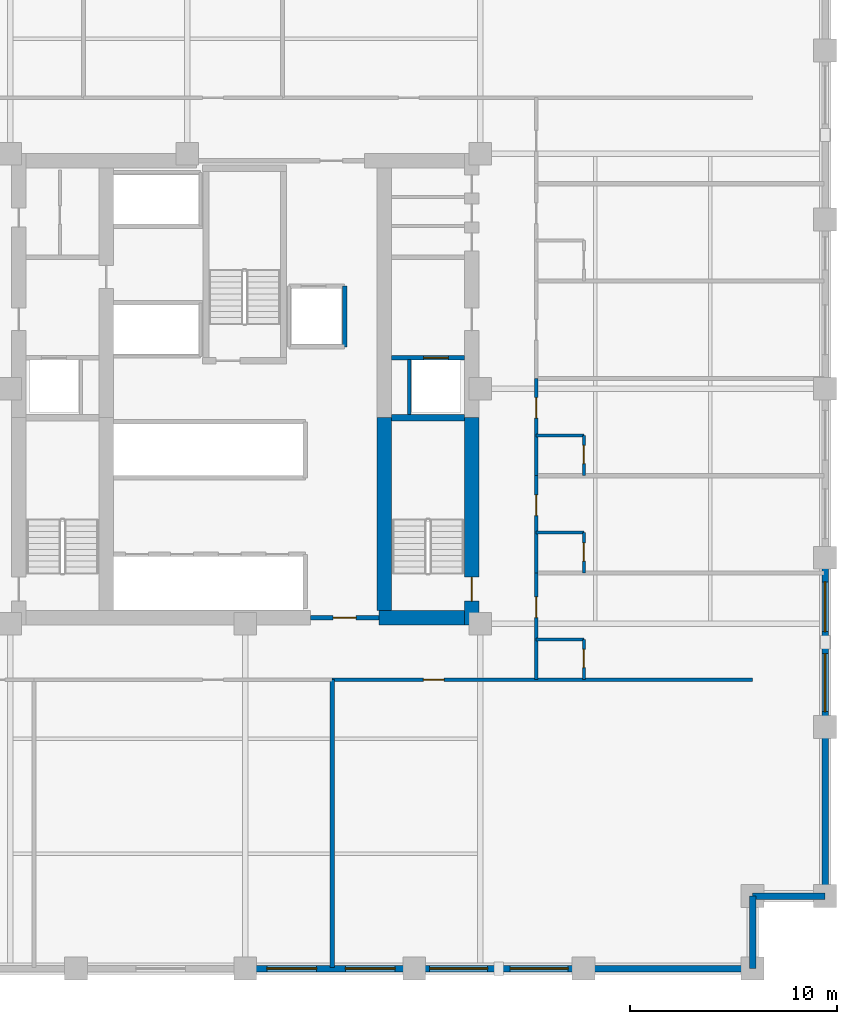
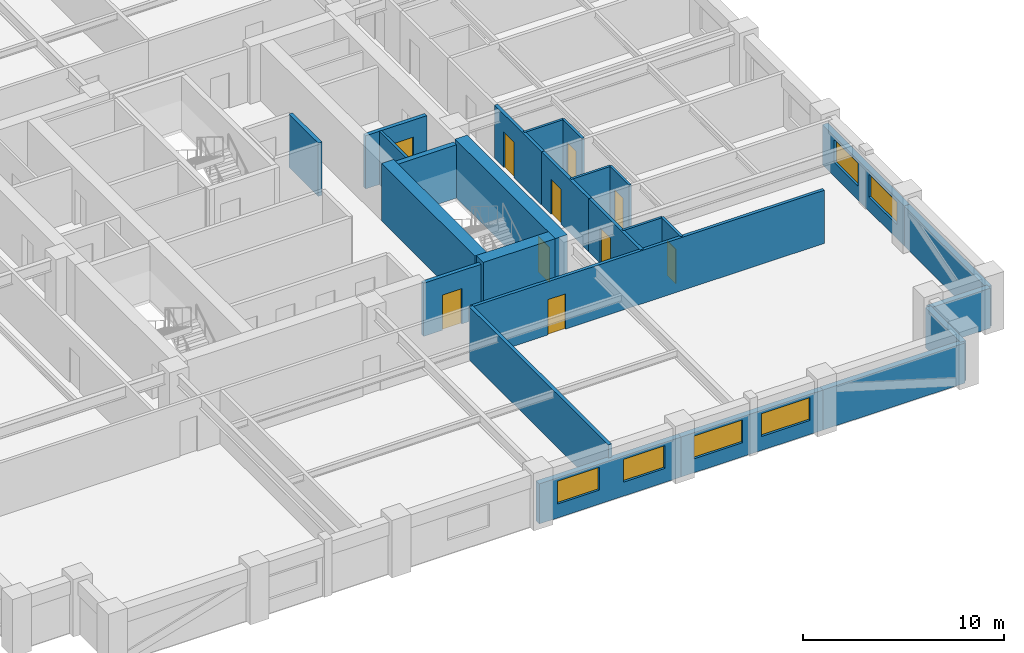
# One storey, part 3 of 7: 26 walls, 10 doors, 6 windows, 16 openings.
"""IFC4 building model written with IfcOpenShell, lengths in metres."""

from ifc_helpers import new_model, si_unit, direction, frame, frame_2d, origin, place, context, subcontext, project, spatial, rectangle, extrude, material, layer, layer_set, type_object, element, fill, save


model = new_model("IFC4")

# Units and contexts
model_context = context("Model", 3, precision=1e-05, world=origin(), true_north=direction((0.0, 1.0)))
body_context = subcontext(model_context, "Body", "Model", "MODEL_VIEW")
ifc_project = project(units=[si_unit("LENGTHUNIT", "METRE"), si_unit("AREAUNIT", "SQUARE_METRE"), si_unit("VOLUMEUNIT", "CUBIC_METRE"), si_unit("PLANEANGLEUNIT", "RADIAN"), si_unit("MASSUNIT", "GRAM", prefix="KILO")], contexts=[model_context])

# Site, building, storey
site_placement = place(None, origin())
site = spatial("IfcSite", under=ifc_project, at=site_placement, CompositionType="ELEMENT")
building_placement = place(site_placement, origin())
building = spatial("IfcBuilding", under=site, at=building_placement, Name="Nhamokura Convention Tower", CompositionType="ELEMENT")
storey_placement = place(building_placement, frame((0.0, 0.0, 73.85009765625)))
storey = spatial("IfcBuildingStorey", under=building, at=storey_placement, Name="L17", CompositionType="ELEMENT", Elevation=73.85009765625)

# Wall
ifc_material_1 = material(Name="Moisture-resistant tile-backer partition", Category="masonry")
ifc_layer_1 = layer(ifc_material_1, 0.139892578125)
ifc_layer_set_1 = layer_set([ifc_layer_1], Name="BathroomWetWall_140")
wall_type_1 = type_object("IfcWallType", Name="BathroomWetWall_140", PredefinedType="STANDARD", material=ifc_layer_set_1)
wall_1_placement = place(storey_placement, frame((46.050048828125, 19.89990234375, 0.0), z_axis=(0.0, 0.0, 1.0), x_axis=(1.0, 0.0, 0.0)))
element("IfcWall", 1, at=wall_1_placement, inside=storey, type_object=wall_type_1, Name="L17 Wall INT-L17-BW-E00N", PredefinedType="STANDARD", context=body_context, shape_type="SweptSolid", body=[
    extrude(rectangle(XDim=2.300048828125, YDim=0.139892578125, at=frame_2d((1.14990234375, 0.0))), origin(), (0.0, 0.0, 1.0), 3.239990234375),
])

# Wall, opening, door
wall_2_placement = place(storey_placement, frame((48.35009765625, 17.949951171875, 0.0), z_axis=(0.0, 0.0, 1.0), x_axis=(0.0, 1.0, 0.0)))
wall_2 = element("IfcWall", 2, at=wall_2_placement, inside=storey, type_object=wall_type_1, Name="L17 Wall INT-L17-BW-E00E", PredefinedType="STANDARD", context=body_context, shape_type="SweptSolid", body=[
    extrude(rectangle(XDim=1.949951171875, YDim=0.139892578125, at=frame_2d((0.97509765625, 0.0))), origin(), (0.0, 0.0, 1.0), 3.239990234375),
])
opening_1_placement = place(wall_2_placement, frame((0.580078125, 0.0, 0.0)))
opening_1 = element("IfcOpeningElement", 3, at=opening_1_placement, cuts=wall_2, Name="Opening D-11", PredefinedType="OPENING", context=body_context, shape_type="SweptSolid", body=[
    extrude(rectangle(XDim=0.8798828125, YDim=2.10009765625, at=frame_2d((0.43994140625, 1.050048828125))), frame((0.0, 0.079833984375, 0.0), z_axis=(0.0, -1.0, 0.0), x_axis=(1.0, 0.0, 0.0)), (0.0, 0.0, 1.0), 0.159912109375),
])
ifc_material_2 = material(Name="Solid oak hardwood", Category="wood")
door_type_1 = type_object("IfcDoorType", Name="BathroomDoor_880", OperationType="NOTDEFINED", PredefinedType="DOOR", material=ifc_material_2)
door_1_placement = place(opening_1_placement, origin())
door_1 = element("IfcDoor", 4, at=door_1_placement, inside=storey, type_object=door_type_1, Name="L17 Guest Room En-suite Door", OperationType="SINGLE_SWING_LEFT", OverallHeight=2.10009765625, OverallWidth=0.8798828125, PredefinedType="DOOR", context=body_context, shape_type="SweptSolid", body=[
    extrude(rectangle(XDim=0.8798828125, YDim=2.10009765625, at=frame_2d((0.43994140625, 1.050048828125))), frame((0.0, 0.02490234375, 0.0), z_axis=(0.0, -1.0, 0.0), x_axis=(1.0, 0.0, 0.0)), (0.0, 0.0, 1.0), 0.050048828125),
])
fill(opening_1, door_1)

# Wall
wall_3_placement = place(storey_placement, frame((46.050048828125, 25.050048828125, 0.0), z_axis=(0.0, 0.0, 1.0), x_axis=(1.0, 0.0, 0.0)))
element("IfcWall", 5, at=wall_3_placement, inside=storey, type_object=wall_type_1, Name="L17 Wall INT-L17-BW-E01N", PredefinedType="STANDARD", context=body_context, shape_type="SweptSolid", body=[
    extrude(rectangle(XDim=2.300048828125, YDim=0.139892578125, at=frame_2d((1.14990234375, 0.0))), origin(), (0.0, 0.0, 1.0), 3.239990234375),
])

# Wall, opening, door
wall_4_placement = place(storey_placement, frame((48.35009765625, 23.10009765625, 0.0), z_axis=(0.0, 0.0, 1.0), x_axis=(0.0, 1.0, 0.0)))
wall_4 = element("IfcWall", 6, at=wall_4_placement, inside=storey, type_object=wall_type_1, Name="L17 Wall INT-L17-BW-E01E", PredefinedType="STANDARD", context=body_context, shape_type="SweptSolid", body=[
    extrude(rectangle(XDim=1.949951171875, YDim=0.139892578125, at=frame_2d((0.97509765625, 0.0))), origin(), (0.0, 0.0, 1.0), 3.239990234375),
])
opening_2_placement = place(wall_4_placement, frame((0.580078125, 0.0, 0.0)))
opening_2 = element("IfcOpeningElement", 7, at=opening_2_placement, cuts=wall_4, Name="Opening D-11", PredefinedType="OPENING", context=body_context, shape_type="SweptSolid", body=[
    extrude(rectangle(XDim=0.8798828125, YDim=2.10009765625, at=frame_2d((0.43994140625, 1.050048828125))), frame((0.0, 0.079833984375, 0.0), z_axis=(0.0, -1.0, 0.0), x_axis=(1.0, 0.0, 0.0)), (0.0, 0.0, 1.0), 0.159912109375),
])
door_2_placement = place(opening_2_placement, origin())
door_2 = element("IfcDoor", 8, at=door_2_placement, inside=storey, type_object=door_type_1, Name="L17 Guest Room En-suite Door", OperationType="SINGLE_SWING_LEFT", OverallHeight=2.10009765625, OverallWidth=0.8798828125, PredefinedType="DOOR", context=body_context, shape_type="SweptSolid", body=[
    extrude(rectangle(XDim=0.8798828125, YDim=2.10009765625, at=frame_2d((0.43994140625, 1.050048828125))), frame((0.0, 0.02490234375, 0.0), z_axis=(0.0, -1.0, 0.0), x_axis=(1.0, 0.0, 0.0)), (0.0, 0.0, 1.0), 0.050048828125),
])
fill(opening_2, door_2)

# Wall
wall_5_placement = place(storey_placement, frame((46.050048828125, 29.75, 0.0), z_axis=(0.0, 0.0, 1.0), x_axis=(1.0, 0.0, 0.0)))
element("IfcWall", 9, at=wall_5_placement, inside=storey, type_object=wall_type_1, Name="L17 Wall INT-L17-BW-E02N", PredefinedType="STANDARD", context=body_context, shape_type="SweptSolid", body=[
    extrude(rectangle(XDim=2.300048828125, YDim=0.139892578125, at=frame_2d((1.14990234375, 0.0))), origin(), (0.0, 0.0, 1.0), 3.239990234375),
])

# Wall, opening, door
wall_6_placement = place(storey_placement, frame((48.35009765625, 27.800048828125, 0.0), z_axis=(0.0, 0.0, 1.0), x_axis=(0.0, 1.0, 0.0)))
wall_6 = element("IfcWall", 10, at=wall_6_placement, inside=storey, type_object=wall_type_1, Name="L17 Wall INT-L17-BW-E02E", PredefinedType="STANDARD", context=body_context, shape_type="SweptSolid", body=[
    extrude(rectangle(XDim=1.949951171875, YDim=0.139892578125, at=frame_2d((0.97509765625, 0.0))), origin(), (0.0, 0.0, 1.0), 3.239990234375),
])
opening_3_placement = place(wall_6_placement, frame((0.580078125, 0.0, 0.0)))
opening_3 = element("IfcOpeningElement", 11, at=opening_3_placement, cuts=wall_6, Name="Opening D-11", PredefinedType="OPENING", context=body_context, shape_type="SweptSolid", body=[
    extrude(rectangle(XDim=0.8798828125, YDim=2.10009765625, at=frame_2d((0.43994140625, 1.050048828125))), frame((0.0, 0.079833984375, 0.0), z_axis=(0.0, -1.0, 0.0), x_axis=(1.0, 0.0, 0.0)), (0.0, 0.0, 1.0), 0.159912109375),
])
door_3_placement = place(opening_3_placement, origin())
door_3 = element("IfcDoor", 12, at=door_3_placement, inside=storey, type_object=door_type_1, Name="L17 Guest Room En-suite Door", OperationType="SINGLE_SWING_LEFT", OverallHeight=2.10009765625, OverallWidth=0.8798828125, PredefinedType="DOOR", context=body_context, shape_type="SweptSolid", body=[
    extrude(rectangle(XDim=0.8798828125, YDim=2.10009765625, at=frame_2d((0.43994140625, 1.050048828125))), frame((0.0, 0.02490234375, 0.0), z_axis=(0.0, -1.0, 0.0), x_axis=(1.0, 0.0, 0.0)), (0.0, 0.0, 1.0), 0.050048828125),
])
fill(opening_3, door_3)

# Wall, openings, windows
ifc_material_3 = material(Name="Bronze-pigmented precast concrete C45/55", Category="concrete")
ifc_layer_2 = layer(ifc_material_3, 0.320068359375)
ifc_layer_set_2 = layer_set([ifc_layer_2], Name="BronzePrecastSpandrel_320")
wall_type_2 = type_object("IfcWallType", Name="BronzePrecastSpandrel_320", PredefinedType="USERDEFINED", material=ifc_layer_set_2)
wall_7_placement = place(storey_placement, frame((40.166748046875, 4.0, 0.0), z_axis=(0.0, 0.0, 1.0), x_axis=(-1.0, 0.0, 0.0)))
wall_7 = element("IfcWall", 13, at=wall_7_placement, inside=storey, type_object=wall_type_2, Name="L17 Masonry-Frame Wall SOUTH 3", ObjectType="SPANDREL_WALL", PredefinedType="USERDEFINED", context=body_context, shape_type="SweptSolid", body=[
    extrude(rectangle(XDim=8.166748046875, YDim=0.320068359375, at=frame_2d((4.08349609375, 0.0))), origin(), (0.0, 0.0, 1.0), 2.43994140625),
])
opening_4_placement = place(wall_7_placement, frame((0.933349609375, 0.0, 0.85009765625)))
opening_4 = element("IfcOpeningElement", 14, at=opening_4_placement, cuts=wall_7, Name="Opening W-03", PredefinedType="OPENING", context=body_context, shape_type="SweptSolid", body=[
    extrude(rectangle(XDim=2.39990234375, YDim=1.389892578125, at=frame_2d((1.199951171875, 0.69482421875))), frame((0.0, 0.169921875, 0.0), z_axis=(0.0, -1.0, 0.0), x_axis=(1.0, 0.0, 0.0)), (0.0, 0.0, 1.0), 0.340087890625),
])
opening_5_placement = place(wall_7_placement, frame((4.716796875, 0.0, 0.85009765625)))
opening_5 = element("IfcOpeningElement", 15, at=opening_5_placement, cuts=wall_7, Name="Opening W-03", PredefinedType="OPENING", context=body_context, shape_type="SweptSolid", body=[
    extrude(rectangle(XDim=2.39990234375, YDim=1.389892578125, at=frame_2d((1.199951171875, 0.69482421875))), frame((0.0, 0.169921875, 0.0), z_axis=(0.0, -1.0, 0.0), x_axis=(1.0, 0.0, 0.0)), (0.0, 0.0, 1.0), 0.340087890625),
])
ifc_material_4 = material(Name="Solar-control bronze low-E double glass", Category="glass")
window_type_1 = type_object("IfcWindowType", Name="HotelBayWindow_2400", PartitioningType="DOUBLE_PANEL_VERTICAL", PredefinedType="WINDOW", material=ifc_material_4)
window_1_placement = place(opening_4_placement, origin())
window_1 = element("IfcWindow", 16, at=window_1_placement, inside=storey, type_object=window_type_1, Name="L17 Facade Window SOUTH 3-1", OverallHeight=1.389892578125, OverallWidth=2.39990234375, PartitioningType="SINGLE_PANEL", PredefinedType="WINDOW", context=body_context, shape_type="SweptSolid", body=[
    extrude(rectangle(XDim=2.39990234375, YDim=1.389892578125, at=frame_2d((1.199951171875, 0.69482421875))), frame((0.0, 0.030029296875, 0.0), z_axis=(0.0, -1.0, 0.0), x_axis=(1.0, 0.0, 0.0)), (0.0, 0.0, 1.0), 0.06005859375),
])
fill(opening_4, window_1)
window_2_placement = place(opening_5_placement, origin())
window_2 = element("IfcWindow", 17, at=window_2_placement, inside=storey, type_object=window_type_1, Name="L17 Facade Window SOUTH 3-2", OverallHeight=1.389892578125, OverallWidth=2.39990234375, PartitioningType="SINGLE_PANEL", PredefinedType="WINDOW", context=body_context, shape_type="SweptSolid", body=[
    extrude(rectangle(XDim=2.39990234375, YDim=1.389892578125, at=frame_2d((1.199951171875, 0.69482421875))), frame((0.0, 0.030029296875, 0.0), z_axis=(0.0, -1.0, 0.0), x_axis=(1.0, 0.0, 0.0)), (0.0, 0.0, 1.0), 0.06005859375),
])
fill(opening_5, window_2)

wall_8_placement = place(storey_placement, frame((48.333251953125, 4.0, 0.0), z_axis=(0.0, 0.0, 1.0), x_axis=(-1.0, 0.0, 0.0)))
wall_8 = element("IfcWall", 18, at=wall_8_placement, inside=storey, type_object=wall_type_2, Name="L17 Masonry-Frame Wall SOUTH 4", ObjectType="SPANDREL_WALL", PredefinedType="USERDEFINED", context=body_context, shape_type="SweptSolid", body=[
    extrude(rectangle(XDim=8.16650390625, YDim=0.320068359375, at=frame_2d((4.083251953125, 0.0))), origin(), (0.0, 0.0, 1.0), 2.43994140625),
])
opening_6_placement = place(wall_8_placement, frame((0.74169921875, 0.0, 0.85009765625)))
opening_6 = element("IfcOpeningElement", 19, at=opening_6_placement, cuts=wall_8, Name="Opening W-04", PredefinedType="OPENING", context=body_context, shape_type="SweptSolid", body=[
    extrude(rectangle(XDim=2.800048828125, YDim=1.389892578125, at=frame_2d((1.39990234375, 0.69482421875))), frame((0.0, 0.169921875, 0.0), z_axis=(0.0, -1.0, 0.0), x_axis=(1.0, 0.0, 0.0)), (0.0, 0.0, 1.0), 0.340087890625),
])
opening_7_placement = place(wall_8_placement, frame((4.625, 0.0, 0.85009765625)))
opening_7 = element("IfcOpeningElement", 20, at=opening_7_placement, cuts=wall_8, Name="Opening W-04", PredefinedType="OPENING", context=body_context, shape_type="SweptSolid", body=[
    extrude(rectangle(XDim=2.800048828125, YDim=1.389892578125, at=frame_2d((1.39990234375, 0.69482421875))), frame((0.0, 0.169921875, 0.0), z_axis=(0.0, -1.0, 0.0), x_axis=(1.0, 0.0, 0.0)), (0.0, 0.0, 1.0), 0.340087890625),
])
ifc_material_5 = material(Name="Solar-control bronze low-E double glass", Category="glass")
window_type_2 = type_object("IfcWindowType", Name="HotelSuiteWindow_2800", PartitioningType="DOUBLE_PANEL_VERTICAL", PredefinedType="WINDOW", material=ifc_material_5)
window_3_placement = place(opening_6_placement, origin())
window_3 = element("IfcWindow", 21, at=window_3_placement, inside=storey, type_object=window_type_2, Name="L17 Facade Window SOUTH 4-1", OverallHeight=1.389892578125, OverallWidth=2.800048828125, PartitioningType="SINGLE_PANEL", PredefinedType="WINDOW", context=body_context, shape_type="SweptSolid", body=[
    extrude(rectangle(XDim=2.800048828125, YDim=1.389892578125, at=frame_2d((1.39990234375, 0.69482421875))), frame((0.0, 0.030029296875, 0.0), z_axis=(0.0, -1.0, 0.0), x_axis=(1.0, 0.0, 0.0)), (0.0, 0.0, 1.0), 0.06005859375),
])
fill(opening_6, window_3)
window_4_placement = place(opening_7_placement, origin())
window_4 = element("IfcWindow", 22, at=window_4_placement, inside=storey, type_object=window_type_2, Name="L17 Facade Window SOUTH 4-2", OverallHeight=1.389892578125, OverallWidth=2.800048828125, PartitioningType="SINGLE_PANEL", PredefinedType="WINDOW", context=body_context, shape_type="SweptSolid", body=[
    extrude(rectangle(XDim=2.800048828125, YDim=1.389892578125, at=frame_2d((1.39990234375, 0.69482421875))), frame((0.0, 0.030029296875, 0.0), z_axis=(0.0, -1.0, 0.0), x_axis=(1.0, 0.0, 0.0)), (0.0, 0.0, 1.0), 0.06005859375),
])
fill(opening_7, window_4)

# Walls
for number, where, z_axis, x_axis, name in (
    (23, (56.5, 4.0, 0.0), (0.0, 0.0, 1.0), (-1.0, 0.0, 0.0), "L17 Braced-Bay Precast Wall SOUTH 5"),
    (24, (60.0, 15.666748046875, 0.0), (0.0, 0.0, 1.0), (0.0, -1.0, 0.0), "L17 Braced-Bay Precast Wall EAST 0"),
):
    element("IfcWall", number, at=place(storey_placement, frame(where, z_axis=z_axis, x_axis=x_axis)), inside=storey, type_object=wall_type_2, Name=name, ObjectType="SPANDREL_WALL", PredefinedType="USERDEFINED", context=body_context, shape_type="SweptSolid", body=[
        extrude(rectangle(XDim=8.166748046875, YDim=0.320068359375, at=frame_2d((4.08349609375, 0.0))), origin(), (0.0, 0.0, 1.0), 2.43994140625),
    ])

# Wall, openings, windows
wall_9_placement = place(storey_placement, frame((60.0, 23.833251953125, 0.0), z_axis=(0.0, 0.0, 1.0), x_axis=(0.0, -1.0, 0.0)))
wall_9 = element("IfcWall", 25, at=wall_9_placement, inside=storey, type_object=wall_type_2, Name="L17 Masonry-Frame Wall EAST 1", ObjectType="SPANDREL_WALL", PredefinedType="USERDEFINED", context=body_context, shape_type="SweptSolid", body=[
    extrude(rectangle(XDim=8.16650390625, YDim=0.320068359375, at=frame_2d((4.083251953125, 0.0))), origin(), (0.0, 0.0, 1.0), 2.43994140625),
])
opening_8_placement = place(wall_9_placement, frame((1.158203125, 0.0, 0.85009765625)))
opening_8 = element("IfcOpeningElement", 26, at=opening_8_placement, cuts=wall_9, Name="Opening W-03", PredefinedType="OPENING", context=body_context, shape_type="SweptSolid", body=[
    extrude(rectangle(XDim=2.39990234375, YDim=1.389892578125, at=frame_2d((1.199951171875, 0.69482421875))), frame((0.0, 0.169921875, 0.0), z_axis=(0.0, -1.0, 0.0), x_axis=(1.0, 0.0, 0.0)), (0.0, 0.0, 1.0), 0.340087890625),
])
opening_9_placement = place(wall_9_placement, frame((4.625, 0.0, 0.85009765625)))
opening_9 = element("IfcOpeningElement", 27, at=opening_9_placement, cuts=wall_9, Name="Opening W-04", PredefinedType="OPENING", context=body_context, shape_type="SweptSolid", body=[
    extrude(rectangle(XDim=2.800048828125, YDim=1.389892578125, at=frame_2d((1.39990234375, 0.69482421875))), frame((0.0, 0.169921875, 0.0), z_axis=(0.0, -1.0, 0.0), x_axis=(1.0, 0.0, 0.0)), (0.0, 0.0, 1.0), 0.340087890625),
])
window_5_placement = place(opening_8_placement, origin())
window_5 = element("IfcWindow", 28, at=window_5_placement, inside=storey, type_object=window_type_1, Name="L17 Facade Window EAST 1-1", OverallHeight=1.389892578125, OverallWidth=2.39990234375, PartitioningType="SINGLE_PANEL", PredefinedType="WINDOW", context=body_context, shape_type="SweptSolid", body=[
    extrude(rectangle(XDim=2.39990234375, YDim=1.389892578125, at=frame_2d((1.199951171875, 0.69482421875))), frame((0.0, 0.030029296875, 0.0), z_axis=(0.0, -1.0, 0.0), x_axis=(1.0, 0.0, 0.0)), (0.0, 0.0, 1.0), 0.06005859375),
])
fill(opening_8, window_5)
window_6_placement = place(opening_9_placement, origin())
window_6 = element("IfcWindow", 29, at=window_6_placement, inside=storey, type_object=window_type_2, Name="L17 Facade Window EAST 1-2", OverallHeight=1.389892578125, OverallWidth=2.800048828125, PartitioningType="SINGLE_PANEL", PredefinedType="WINDOW", context=body_context, shape_type="SweptSolid", body=[
    extrude(rectangle(XDim=2.800048828125, YDim=1.389892578125, at=frame_2d((1.39990234375, 0.69482421875))), frame((0.0, 0.030029296875, 0.0), z_axis=(0.0, -1.0, 0.0), x_axis=(1.0, 0.0, 0.0)), (0.0, 0.0, 1.0), 0.06005859375),
])
fill(opening_9, window_6)

# Walls
for number, where, z_axis, x_axis, name in (
    (30, (56.5, 7.5, 0.0), (0.0, 0.0, 1.0), (0.0, -1.0, 0.0), "L17 Notched Corner Wall SE1"),
    (31, (60.0, 7.5, 0.0), (0.0, 0.0, 1.0), (-1.0, 0.0, 0.0), "L17 Notched Corner Wall SE2"),
):
    element("IfcWall", number, at=place(storey_placement, frame(where, z_axis=z_axis, x_axis=x_axis)), inside=storey, type_object=wall_type_2, Name=name, ObjectType="SPANDREL_WALL", PredefinedType="USERDEFINED", context=body_context, shape_type="SweptSolid", body=[
        extrude(rectangle(XDim=3.5, YDim=0.320068359375, at=frame_2d((1.75, 0.0))), origin(), (0.0, 0.0, 1.0), 2.43994140625),
    ])

# Wall, opening, door
ifc_material_6 = material(Name="Concrete C70/85", Category="concrete")
ifc_layer_3 = layer(ifc_material_6, 0.699951171875)
ifc_layer_set_3 = layer_set([ifc_layer_3], Name="CoreShearWall_700")
wall_type_3 = type_object("IfcWallType", Name="CoreShearWall_700", PredefinedType="SHEAR", material=ifc_layer_set_3)
wall_10_placement = place(storey_placement, frame((42.93994140625, 20.60009765625, 0.0), z_axis=(0.0, 0.0, 1.0), x_axis=(0.0, 1.0, 0.0)))
wall_10 = element("IfcWall", 32, at=wall_10_placement, inside=storey, type_object=wall_type_3, Name="L17 Core Shear Wall CW-ES", PredefinedType="SHEAR", context=body_context, shape_type="SweptSolid", body=[
    extrude(rectangle(XDim=10.0, YDim=0.699951171875, at=frame_2d((5.0, 0.0))), origin(), (0.0, 0.0, 1.0), 3.5),
])
opening_10_placement = place(wall_10_placement, frame((1.14990234375, 0.0, 0.0)))
opening_10 = element("IfcOpeningElement", 33, at=opening_10_placement, cuts=wall_10, Name="Opening D-04", PredefinedType="OPENING", context=body_context, shape_type="SweptSolid", body=[
    extrude(rectangle(XDim=1.14990234375, YDim=2.14990234375, at=frame_2d((0.574951171875, 1.074951171875))), frame((0.0, 0.35986328125, 0.0), z_axis=(0.0, -1.0, 0.0), x_axis=(1.0, 0.0, 0.0)), (0.0, 0.0, 1.0), 0.719970703125),
])
ifc_material_7 = material(Name="Fire-rated steel door", Category="steel")
door_type_2 = type_object("IfcDoorType", Name="StairSmokeDoor_1150", OperationType="NOTDEFINED", PredefinedType="DOOR", material=ifc_material_7)
door_4_placement = place(opening_10_placement, origin())
door_4 = element("IfcDoor", 34, at=door_4_placement, inside=storey, type_object=door_type_2, Name="L17 Core Door INT-L17-D-ST02", OperationType="SINGLE_SWING_RIGHT", OverallHeight=2.14990234375, OverallWidth=1.14990234375, PredefinedType="DOOR", context=body_context, shape_type="SweptSolid", body=[
    extrude(rectangle(XDim=1.14990234375, YDim=2.14990234375, at=frame_2d((0.574951171875, 1.074951171875))), frame((0.0, 0.02490234375, 0.0), z_axis=(0.0, -1.0, 0.0), x_axis=(1.0, 0.0, 0.0)), (0.0, 0.0, 1.0), 0.050048828125),
])
fill(opening_10, door_4)

# Walls
wall_11_placement = place(storey_placement, frame((38.449951171875, 20.949951171875, 0.0), z_axis=(0.0, 0.0, 1.0), x_axis=(1.0, 0.0, 0.0)))
element("IfcWall", 35, at=wall_11_placement, inside=storey, type_object=wall_type_3, Name="L17 Core Shear Wall CW-S2", PredefinedType="SHEAR", context=body_context, shape_type="SweptSolid", body=[
    extrude(rectangle(XDim=4.14013671875, YDim=0.699951171875, at=frame_2d((2.070068359375, 0.0))), origin(), (0.0, 0.0, 1.0), 3.5),
])
wall_12_placement = place(storey_placement, frame((38.7099609375, 21.300048828125, 0.0), z_axis=(0.0, 0.0, 1.0), x_axis=(0.0, 1.0, 0.0)))
element("IfcWall", 36, at=wall_12_placement, inside=storey, type_object=wall_type_3, Name="L17 Core Shear Wall CW-IES", PredefinedType="SHEAR", context=body_context, shape_type="SweptSolid", body=[
    extrude(rectangle(XDim=9.300048828125, YDim=0.699951171875, at=frame_2d((4.64990234375, 0.0))), origin(), (0.0, 0.0, 1.0), 3.5),
])

# Wall, opening, door
ifc_material_8 = material(Name="Fire-rated gypsum and masonry partition", Category="masonry")
ifc_layer_4 = layer(ifc_material_8, 0.179931640625)
ifc_layer_set_4 = layer_set([ifc_layer_4], Name="CorridorRatedWall_180")
wall_type_4 = type_object("IfcWallType", Name="CorridorRatedWall_180", PredefinedType="STANDARD", material=ifc_layer_set_4)
wall_13_placement = place(storey_placement, frame((36.199951171875, 17.949951171875, 0.0), z_axis=(0.0, 0.0, 1.0), x_axis=(1.0, 0.0, 0.0)))
wall_13 = element("IfcWall", 37, at=wall_13_placement, inside=storey, type_object=wall_type_4, Name="L17 Wall INT-L17-CW-S02", PredefinedType="STANDARD", context=body_context, shape_type="SweptSolid", body=[
    extrude(rectangle(XDim=20.300048828125, YDim=0.179931640625, at=frame_2d((10.14990234375, 0.0))), origin(), (0.0, 0.0, 1.0), 3.239990234375),
])
opening_11_placement = place(wall_13_placement, frame((4.39990234375, 0.0, 0.0)))
opening_11 = element("IfcOpeningElement", 38, at=opening_11_placement, cuts=wall_13, Name="Opening D-07", PredefinedType="OPENING", context=body_context, shape_type="SweptSolid", body=[
    extrude(rectangle(XDim=1.0, YDim=2.14990234375, at=frame_2d((0.5, 1.074951171875))), frame((0.0, 0.099853515625, 0.0), z_axis=(0.0, -1.0, 0.0), x_axis=(1.0, 0.0, 0.0)), (0.0, 0.0, 1.0), 0.199951171875),
])
ifc_material_9 = material(Name="Solid oak hardwood", Category="wood")
door_type_3 = type_object("IfcDoorType", Name="HotelSuiteEntryDoor_1000", OperationType="NOTDEFINED", PredefinedType="DOOR", material=ifc_material_9)
door_5_placement = place(opening_11_placement, origin())
door_5 = element("IfcDoor", 39, at=door_5_placement, inside=storey, type_object=door_type_3, Name="L17 Conference Salon S03 Door", OperationType="SINGLE_SWING_LEFT", OverallHeight=2.14990234375, OverallWidth=1.0, PredefinedType="DOOR", context=body_context, shape_type="SweptSolid", body=[
    extrude(rectangle(XDim=1.0, YDim=2.14990234375, at=frame_2d((0.5, 1.074951171875))), frame((0.0, 0.02490234375, 0.0), z_axis=(0.0, -1.0, 0.0), x_axis=(1.0, 0.0, 0.0)), (0.0, 0.0, 1.0), 0.050048828125),
])
fill(opening_11, door_5)

wall_14_placement = place(storey_placement, frame((46.050048828125, 17.949951171875, 0.0), z_axis=(0.0, 0.0, 1.0), x_axis=(0.0, 1.0, 0.0)))
wall_14 = element("IfcWall", 40, at=wall_14_placement, inside=storey, type_object=wall_type_4, Name="L17 Wall INT-L17-CW-E00", PredefinedType="STANDARD", context=body_context, shape_type="SweptSolid", body=[
    extrude(rectangle(XDim=5.150146484375, YDim=0.179931640625, at=frame_2d((2.5751953125, 0.0))), origin(), (0.0, 0.0, 1.0), 3.239990234375),
])
opening_12_placement = place(wall_14_placement, frame((3.0, 0.0, 0.0)))
opening_12 = element("IfcOpeningElement", 41, at=opening_12_placement, cuts=wall_14, Name="Opening D-07", PredefinedType="OPENING", context=body_context, shape_type="SweptSolid", body=[
    extrude(rectangle(XDim=1.0, YDim=2.14990234375, at=frame_2d((0.5, 1.074951171875))), frame((0.0, 0.099853515625, 0.0), z_axis=(0.0, -1.0, 0.0), x_axis=(1.0, 0.0, 0.0)), (0.0, 0.0, 1.0), 0.199951171875),
])
door_6_placement = place(opening_12_placement, origin())
door_6 = element("IfcDoor", 42, at=door_6_placement, inside=storey, type_object=door_type_3, Name="L17 Guest Room E01 Door", OperationType="SINGLE_SWING_LEFT", OverallHeight=2.14990234375, OverallWidth=1.0, PredefinedType="DOOR", context=body_context, shape_type="SweptSolid", body=[
    extrude(rectangle(XDim=1.0, YDim=2.14990234375, at=frame_2d((0.5, 1.074951171875))), frame((0.0, 0.02490234375, 0.0), z_axis=(0.0, -1.0, 0.0), x_axis=(1.0, 0.0, 0.0)), (0.0, 0.0, 1.0), 0.050048828125),
])
fill(opening_12, door_6)

wall_15_placement = place(storey_placement, frame((46.050048828125, 23.10009765625, 0.0), z_axis=(0.0, 0.0, 1.0), x_axis=(0.0, 1.0, 0.0)))
wall_15 = element("IfcWall", 43, at=wall_15_placement, inside=storey, type_object=wall_type_4, Name="L17 Wall INT-L17-CW-E01", PredefinedType="STANDARD", context=body_context, shape_type="SweptSolid", body=[
    extrude(rectangle(XDim=4.699951171875, YDim=0.179931640625, at=frame_2d((2.35009765625, 0.0))), origin(), (0.0, 0.0, 1.0), 3.239990234375),
])
opening_13_placement = place(wall_15_placement, frame((2.77490234375, 0.0, 0.0)))
opening_13 = element("IfcOpeningElement", 44, at=opening_13_placement, cuts=wall_15, Name="Opening D-07", PredefinedType="OPENING", context=body_context, shape_type="SweptSolid", body=[
    extrude(rectangle(XDim=1.0, YDim=2.14990234375, at=frame_2d((0.5, 1.074951171875))), frame((0.0, 0.099853515625, 0.0), z_axis=(0.0, -1.0, 0.0), x_axis=(1.0, 0.0, 0.0)), (0.0, 0.0, 1.0), 0.199951171875),
])
door_7_placement = place(opening_13_placement, origin())
door_7 = element("IfcDoor", 45, at=door_7_placement, inside=storey, type_object=door_type_3, Name="L17 Guest Room E02 Door", OperationType="SINGLE_SWING_RIGHT", OverallHeight=2.14990234375, OverallWidth=1.0, PredefinedType="DOOR", context=body_context, shape_type="SweptSolid", body=[
    extrude(rectangle(XDim=1.0, YDim=2.14990234375, at=frame_2d((0.5, 1.074951171875))), frame((0.0, 0.02490234375, 0.0), z_axis=(0.0, -1.0, 0.0), x_axis=(1.0, 0.0, 0.0)), (0.0, 0.0, 1.0), 0.050048828125),
])
fill(opening_13, door_7)

wall_16_placement = place(storey_placement, frame((46.050048828125, 27.800048828125, 0.0), z_axis=(0.0, 0.0, 1.0), x_axis=(0.0, 1.0, 0.0)))
wall_16 = element("IfcWall", 46, at=wall_16_placement, inside=storey, type_object=wall_type_4, Name="L17 Wall INT-L17-CW-E02", PredefinedType="STANDARD", context=body_context, shape_type="SweptSolid", body=[
    extrude(rectangle(XDim=4.699951171875, YDim=0.179931640625, at=frame_2d((2.35009765625, 0.0))), origin(), (0.0, 0.0, 1.0), 3.239990234375),
])
opening_14_placement = place(wall_16_placement, frame((2.77490234375, 0.0, 0.0)))
opening_14 = element("IfcOpeningElement", 47, at=opening_14_placement, cuts=wall_16, Name="Opening D-07", PredefinedType="OPENING", context=body_context, shape_type="SweptSolid", body=[
    extrude(rectangle(XDim=1.0, YDim=2.14990234375, at=frame_2d((0.5, 1.074951171875))), frame((0.0, 0.099853515625, 0.0), z_axis=(0.0, -1.0, 0.0), x_axis=(1.0, 0.0, 0.0)), (0.0, 0.0, 1.0), 0.199951171875),
])
door_8_placement = place(opening_14_placement, origin())
door_8 = element("IfcDoor", 48, at=door_8_placement, inside=storey, type_object=door_type_3, Name="L17 Guest Room E03 Door", OperationType="SINGLE_SWING_LEFT", OverallHeight=2.14990234375, OverallWidth=1.0, PredefinedType="DOOR", context=body_context, shape_type="SweptSolid", body=[
    extrude(rectangle(XDim=1.0, YDim=2.14990234375, at=frame_2d((0.5, 1.074951171875))), frame((0.0, 0.02490234375, 0.0), z_axis=(0.0, -1.0, 0.0), x_axis=(1.0, 0.0, 0.0)), (0.0, 0.0, 1.0), 0.050048828125),
])
fill(opening_14, door_8)

ifc_material_10 = material(Name="Autoclaved concrete blockwork", Category="masonry")
ifc_layer_5 = layer(ifc_material_10, 0.219970703125)
ifc_layer_set_5 = layer_set([ifc_layer_5], Name="FireLobbyWall_220")
wall_type_5 = type_object("IfcWallType", Name="FireLobbyWall_220", PredefinedType="STANDARD", material=ifc_layer_set_5)
wall_17_placement = place(storey_placement, frame((39.06005859375, 33.5, 0.0), z_axis=(0.0, 0.0, 1.0), x_axis=(1.0, 0.0, 0.0)))
wall_17 = element("IfcWall", 49, at=wall_17_placement, inside=storey, type_object=wall_type_5, Name="L17 Wall INT-L17-FFE-S", PredefinedType="STANDARD", context=body_context, shape_type="SweptSolid", body=[
    extrude(rectangle(XDim=3.530029296875, YDim=0.219970703125, at=frame_2d((1.76513671875, 0.0))), origin(), (0.0, 0.0, 1.0), 3.239990234375),
])
opening_15_placement = place(wall_17_placement, frame((1.550048828125, 0.0, 0.0)))
opening_15 = element("IfcOpeningElement", 50, at=opening_15_placement, cuts=wall_17, Name="Opening LD-02", PredefinedType="OPENING", context=body_context, shape_type="SweptSolid", body=[
    extrude(rectangle(XDim=1.199951171875, YDim=2.199951171875, at=frame_2d((0.60009765625, 1.10009765625))), frame((0.0, 0.119873046875, 0.0), z_axis=(0.0, -1.0, 0.0), x_axis=(1.0, 0.0, 0.0)), (0.0, 0.0, 1.0), 0.239990234375),
])
ifc_material_11 = material(Name="Anodised bronze stainless steel", Category="steel")
door_type_4 = type_object("IfcDoorType", Name="LiftLandingDoor_FireService", OperationType="DOUBLE_DOOR_SLIDING", PredefinedType="DOOR", material=ifc_material_11)
door_9_placement = place(opening_15_placement, origin())
door_9 = element("IfcDoor", 51, at=door_9_placement, inside=storey, type_object=door_type_4, Name="L17 Firefighting Lift LF-02 Door", OperationType="DOUBLE_DOOR_SLIDING", OverallHeight=2.199951171875, OverallWidth=1.199951171875, PredefinedType="DOOR", context=body_context, shape_type="SweptSolid", body=[
    extrude(rectangle(XDim=1.199951171875, YDim=2.199951171875, at=frame_2d((0.60009765625, 1.10009765625))), frame((0.0, 0.02490234375, 0.0), z_axis=(0.0, -1.0, 0.0), x_axis=(1.0, 0.0, 0.0)), (0.0, 0.0, 1.0), 0.050048828125),
])
fill(opening_15, door_9)

wall_18_placement = place(storey_placement, frame((35.14990234375, 20.949951171875, 0.0), z_axis=(0.0, 0.0, 1.0), x_axis=(1.0, 0.0, 0.0)))
wall_18 = element("IfcWall", 52, at=wall_18_placement, inside=storey, type_object=wall_type_5, Name="L17 Wall INT-L17-SPORT-S", PredefinedType="STANDARD", context=body_context, shape_type="SweptSolid", body=[
    extrude(rectangle(XDim=3.300048828125, YDim=0.219970703125, at=frame_2d((1.64990234375, 0.0))), origin(), (0.0, 0.0, 1.0), 3.239990234375),
])
opening_16_placement = place(wall_18_placement, frame((1.10009765625, 0.0, 0.0)))
opening_16 = element("IfcOpeningElement", 53, at=opening_16_placement, cuts=wall_18, Name="Opening D-05", PredefinedType="OPENING", context=body_context, shape_type="SweptSolid", body=[
    extrude(rectangle(XDim=1.10009765625, YDim=2.14990234375, at=frame_2d((0.550048828125, 1.074951171875))), frame((0.0, 0.119873046875, 0.0), z_axis=(0.0, -1.0, 0.0), x_axis=(1.0, 0.0, 0.0)), (0.0, 0.0, 1.0), 0.239990234375),
])
ifc_material_12 = material(Name="Fire-rated steel door", Category="steel")
door_type_5 = type_object("IfcDoorType", Name="FireLobbyDoor_1100", OperationType="NOTDEFINED", PredefinedType="DOOR", material=ifc_material_12)
door_10_placement = place(opening_16_placement, origin())
door_10 = element("IfcDoor", 54, at=door_10_placement, inside=storey, type_object=door_type_5, Name="L17 South Core Lobby Portal Door", OperationType="SINGLE_SWING_LEFT", OverallHeight=2.14990234375, OverallWidth=1.10009765625, PredefinedType="DOOR", context=body_context, shape_type="SweptSolid", body=[
    extrude(rectangle(XDim=1.10009765625, YDim=2.14990234375, at=frame_2d((0.550048828125, 1.074951171875))), frame((0.0, 0.02490234375, 0.0), z_axis=(0.0, -1.0, 0.0), x_axis=(1.0, 0.0, 0.0)), (0.0, 0.0, 1.0), 0.050048828125),
])
fill(opening_16, door_10)

# Walls
wall_19_placement = place(storey_placement, frame((36.800048828125, 34.02001953125, 0.0), z_axis=(0.0, 0.0, 1.0), x_axis=(0.0, 1.0, 0.0)))
element("IfcWall", 55, at=wall_19_placement, inside=storey, type_object=wall_type_5, Name="L17 Wall INT-L17-LSE", PredefinedType="STANDARD", context=body_context, shape_type="SweptSolid", body=[
    extrude(rectangle(XDim=2.929931640625, YDim=0.219970703125, at=frame_2d((1.46484375, 0.0))), origin(), (0.0, 0.0, 1.0), 3.239990234375),
])
ifc_material_13 = material(Name="Acoustic twin-stud gypsum partition", Category="masonry")
ifc_layer_6 = layer(ifc_material_13, 0.199951171875)
ifc_layer_set_6 = layer_set([ifc_layer_6], Name="HotelDemisingWall_200")
wall_type_6 = type_object("IfcWallType", Name="HotelDemisingWall_200", PredefinedType="STANDARD", material=ifc_layer_set_6)
wall_20_placement = place(storey_placement, frame((36.199951171875, 4.06005859375, 0.0), z_axis=(0.0, 0.0, 1.0), x_axis=(0.0, 1.0, 0.0)))
element("IfcWall", 56, at=wall_20_placement, inside=storey, type_object=wall_type_6, Name="L17 Wall INT-L17-RW-S02", PredefinedType="STANDARD", context=body_context, shape_type="SweptSolid", body=[
    extrude(rectangle(XDim=13.889892578125, YDim=0.199951171875, at=frame_2d((6.94482421875, 0.0))), origin(), (0.0, 0.0, 1.0), 3.239990234375),
])
ifc_material_14 = material(Name="Acoustic gypsum stud partition", Category="masonry")
ifc_layer_7 = layer(ifc_material_14, 0.14990234375)
ifc_layer_set_7 = layer_set([ifc_layer_7], Name="InteriorPartition_150")
wall_type_7 = type_object("IfcWallType", Name="InteriorPartition_150", PredefinedType="STANDARD", material=ifc_layer_set_7)
wall_21_placement = place(storey_placement, frame((39.919921875, 30.75, 0.0), z_axis=(0.0, 0.0, 1.0), x_axis=(0.0, 1.0, 0.0)))
element("IfcWall", 57, at=wall_21_placement, inside=storey, type_object=wall_type_7, Name="L17 Wall INT-L17-FF2-W", PredefinedType="STANDARD", context=body_context, shape_type="SweptSolid", body=[
    extrude(rectangle(XDim=2.64990234375, YDim=0.14990234375, at=frame_2d((1.324951171875, 0.0))), origin(), (0.0, 0.0, 1.0), 3.239990234375),
])
ifc_material_15 = material(Name="Concrete C50/60", Category="concrete")
ifc_layer_8 = layer(ifc_material_15, 0.300048828125)
ifc_layer_set_8 = layer_set([ifc_layer_8], Name="ShaftEnclosureWall_300")
wall_type_8 = type_object("IfcWallType", Name="ShaftEnclosureWall_300", PredefinedType="SHEAR", material=ifc_layer_set_8)
wall_22_placement = place(storey_placement, frame((39.06005859375, 30.60009765625, 0.0), z_axis=(0.0, 0.0, 1.0), x_axis=(1.0, 0.0, 0.0)))
element("IfcWall", 58, at=wall_22_placement, inside=storey, type_object=wall_type_8, Name="L17 Wall INT-L17-ST02-N", PredefinedType="SHEAR", context=body_context, shape_type="SweptSolid", body=[
    extrude(rectangle(XDim=3.530029296875, YDim=0.300048828125, at=frame_2d((1.76513671875, 0.0))), origin(), (0.0, 0.0, 1.0), 3.239990234375),
])

save(model, "model.ifc")
